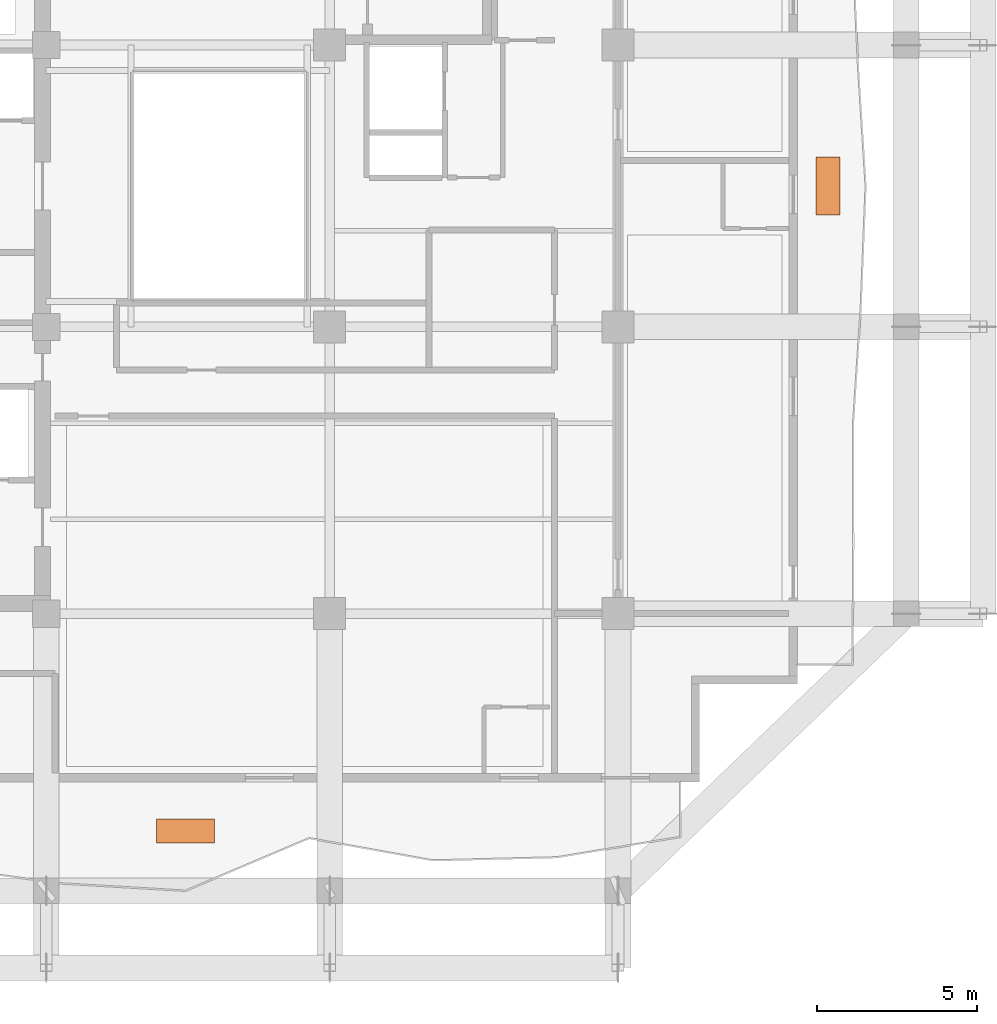
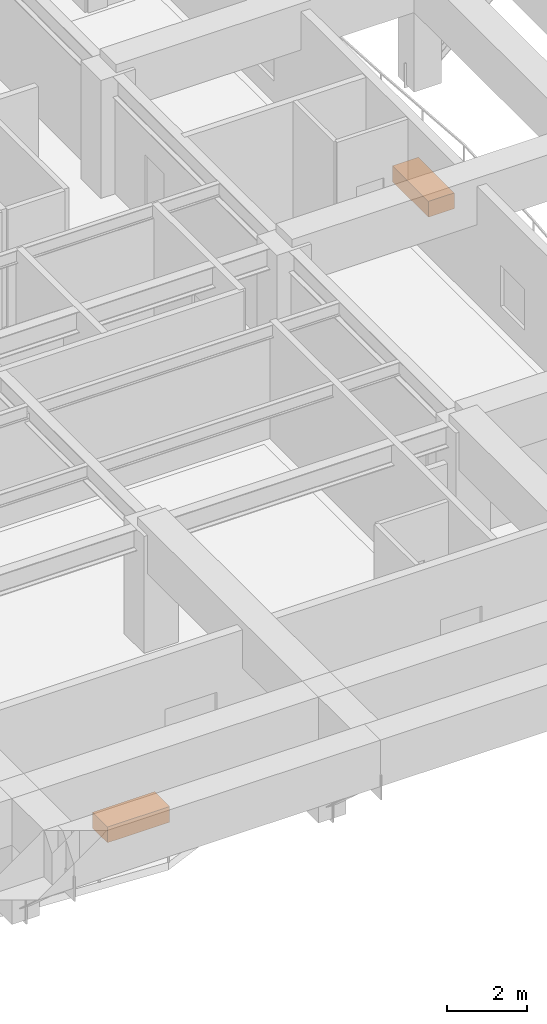
# One storey, part 11 of 11: 2 proxies.
"""IFC4 building model written with IfcOpenShell, lengths in metres."""

from ifc_helpers import new_model, si_unit, direction, frame, origin, origin_2d, place, context, subcontext, project, spatial, rectangle, extrude, material, type_object, element, save


model = new_model("IFC4")

# Units and contexts
model_context = context("Model", 3, precision=1e-05, world=origin(), true_north=direction((0.0, 1.0)))
body_context = subcontext(model_context, "Body", "Model", "MODEL_VIEW")
ifc_project = project(units=[si_unit("LENGTHUNIT", "METRE"), si_unit("AREAUNIT", "SQUARE_METRE"), si_unit("VOLUMEUNIT", "CUBIC_METRE"), si_unit("PLANEANGLEUNIT", "RADIAN"), si_unit("MASSUNIT", "GRAM", prefix="KILO")], contexts=[model_context])

# Site, building, storey
site_placement = place(None, origin())
site = spatial("IfcSite", under=ifc_project, at=site_placement, CompositionType="ELEMENT")
building_placement = place(site_placement, origin())
building = spatial("IfcBuilding", under=site, at=building_placement, Name="Kundavana Baori Tower", CompositionType="ELEMENT")
storey_placement = place(building_placement, frame((0.0, 0.0, 154.050048828125)))
storey = spatial("IfcBuildingStorey", under=building, at=storey_placement, Name="L37", CompositionType="ELEMENT", Elevation=154.050048828125)

# Proxies
ifc_material = material(Name="Red-Buff Dholpur Sandstone Cladding on Concrete C40/50", Category="masonry")
building_element_proxy_type = type_object("IfcBuildingElementProxyType", Name="PRX-PLANTER-1800", PredefinedType="USERDEFINED", material=ifc_material)
for number, where, z_axis, x_axis, name in (
    (1, (29.300048828125, 8.469970703125, 0.0), (0.0, 0.0, 1.0), (1.0, 0.0, 0.0), "L37 Dholpur Stone Structural Tree Planter S"),
    (2, (49.360107421875, 28.60009765625, 0.0), (0.0, 0.0, 1.0), (0.0, 1.0, 0.0), "L37 Dholpur Stone Structural Tree Planter E"),
):
    element("IfcBuildingElementProxy", number, at=place(storey_placement, frame(where, z_axis=z_axis, x_axis=x_axis)), inside=storey, type_object=building_element_proxy_type, Name=name, ObjectType="PLANTER", PredefinedType="USERDEFINED", context=body_context, shape_type="SweptSolid", body=[
        extrude(rectangle(XDim=1.800048828125, YDim=0.75, at=origin_2d()), origin(), (0.0, 0.0, 1.0), 0.47998046875),
    ])

save(model, "model.ifc")
